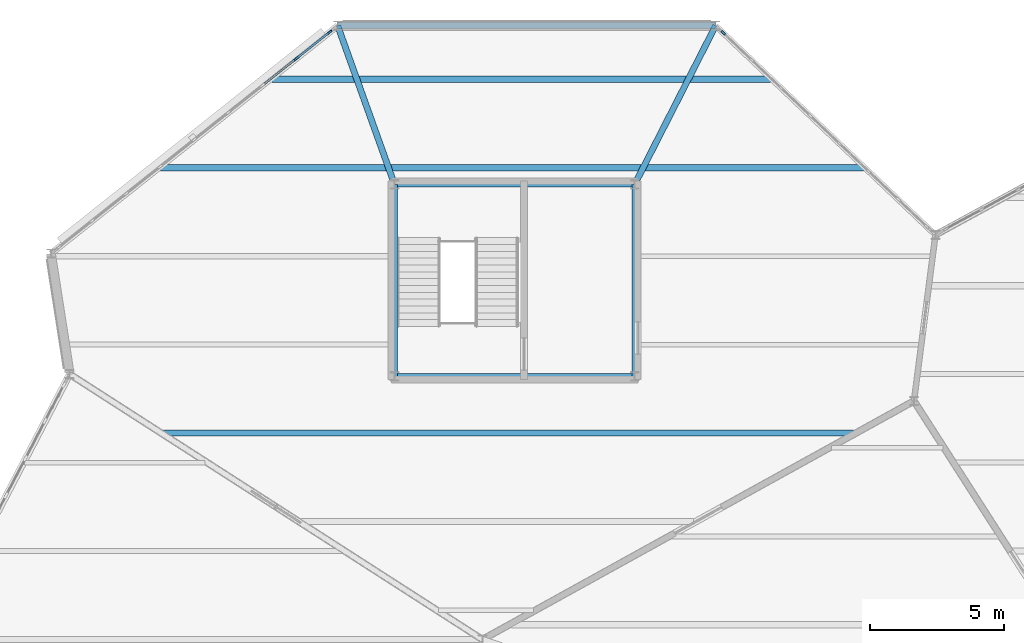
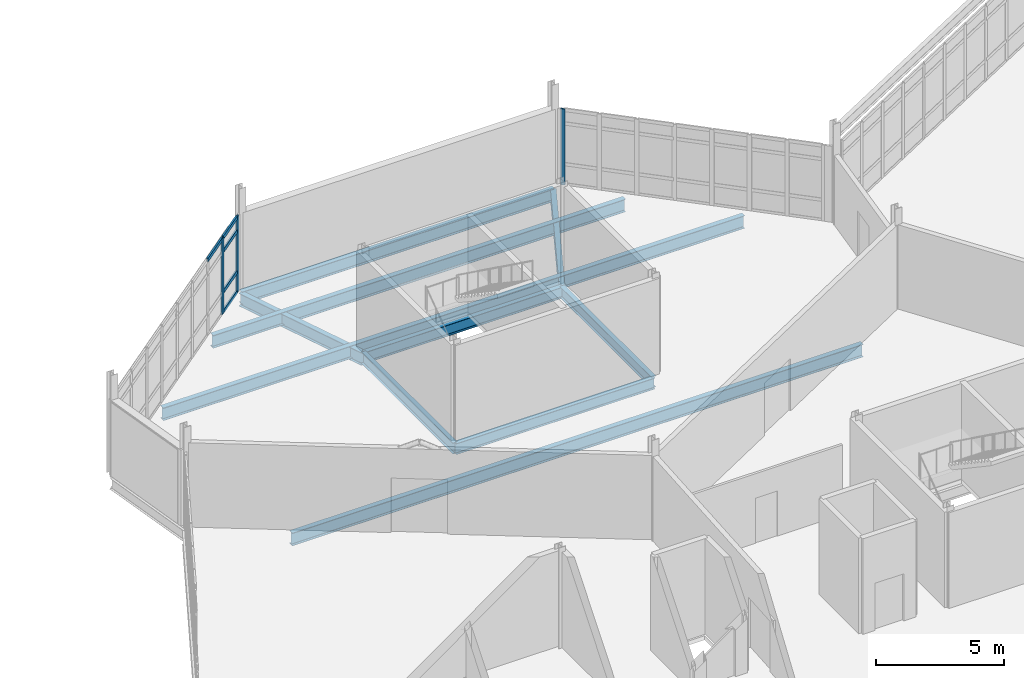
# One storey, part 54 of 114: 10 beams, 8 members, 2 elements without a shape of their own.
"""IFC4 building model written with IfcOpenShell, lengths in metres."""

from ifc_helpers import new_model, si_unit, direction, frame, origin, origin_2d, place, context, subcontext, project, spatial, rectangle, i_section, extrude, material, material_profile, profile_set, type_object, element, aggregate, save


model = new_model("IFC4")

# Units and contexts
model_context = context("Model", 3, precision=1e-05, world=origin(), true_north=direction((0.0, 1.0)))
body_context = subcontext(model_context, "Body", "Model", "MODEL_VIEW")
ifc_project = project(units=[si_unit("LENGTHUNIT", "METRE"), si_unit("AREAUNIT", "SQUARE_METRE"), si_unit("VOLUMEUNIT", "CUBIC_METRE"), si_unit("PLANEANGLEUNIT", "RADIAN"), si_unit("MASSUNIT", "GRAM", prefix="KILO")], contexts=[model_context])

# Site, building, storey
site_placement = place(None, origin())
site = spatial("IfcSite", under=ifc_project, at=site_placement, CompositionType="ELEMENT")
building_placement = place(site_placement, origin())
building = spatial("IfcBuilding", under=site, at=building_placement, Name="Tameran Prism Museum", CompositionType="ELEMENT")
storey_placement = place(building_placement, frame((0.0, 0.0, 10.199951171875)))
storey = spatial("IfcBuildingStorey", under=building, at=storey_placement, Name="L02", CompositionType="ELEMENT", Elevation=10.199951171875)

# Beams
ifc_material_1 = material(Name="Steel Grade 300PLUS (300 MPa)", Category="steel")
ifc_material_profile_1 = material_profile(ifc_material_1, i_section(OverallWidth=0.208984375, OverallDepth=0.528076171875, WebThickness=0.009521484375, FlangeThickness=0.01318359375, FilletRadius=0.013916015625, at=origin_2d()))
ifc_profile_set_1 = profile_set([ifc_material_profile_1])
beam_type_1 = type_object("IfcBeamType", Name="BM-SP530B", PredefinedType="SPANDREL", material=ifc_profile_set_1)
beam_1_placement = place(storey_placement, frame((115.52001953125, 98.919921875, -0.50390625), z_axis=(1.0, 0.0, 0.0), x_axis=(0.0, 1.0, 0.0)))
element("IfcBeam", 1, at=beam_1_placement, inside=storey, type_object=beam_type_1, Name="Core Ring Beam CTB-0765", PredefinedType="SPANDREL", context=body_context, shape_type="SweptSolid", body=[
    extrude(i_section(OverallWidth=0.208984375, OverallDepth=0.528076171875, WebThickness=0.009521484375, FlangeThickness=0.01318359375, FilletRadius=0.013916015625, at=origin_2d()), origin(), (0.0, 0.0, 1.0), 8.9599609375),
])
beam_2_placement = place(storey_placement, frame((124.47998046875, 98.919921875, -0.50390625), z_axis=(0.0, 1.0, 0.0), x_axis=(-1.0, 0.0, 0.0)))
element("IfcBeam", 2, at=beam_2_placement, inside=storey, type_object=beam_type_1, Name="Core Ring Beam CTB-0766", PredefinedType="SPANDREL", context=body_context, shape_type="SweptSolid", body=[
    extrude(i_section(OverallWidth=0.208984375, OverallDepth=0.528076171875, WebThickness=0.009521484375, FlangeThickness=0.01318359375, FilletRadius=0.013916015625, at=origin_2d()), origin(), (0.0, 0.0, 1.0), 7.16015625),
])
beam_3_placement = place(storey_placement, frame((124.47998046875, 106.080078125, -0.50390625), z_axis=(-1.0, 0.0, 0.0), x_axis=(0.0, -1.0, 0.0)))
element("IfcBeam", 3, at=beam_3_placement, inside=storey, type_object=beam_type_1, Name="Core Ring Beam CTB-0767", PredefinedType="SPANDREL", context=body_context, shape_type="SweptSolid", body=[
    extrude(i_section(OverallWidth=0.208984375, OverallDepth=0.528076171875, WebThickness=0.009521484375, FlangeThickness=0.01318359375, FilletRadius=0.013916015625, at=origin_2d()), origin(), (0.0, 0.0, 1.0), 8.9599609375),
])
beam_4_placement = place(storey_placement, frame((115.52001953125, 106.080078125, -0.50390625), z_axis=(0.0, -1.0, 0.0), x_axis=(1.0, 0.0, 0.0)))
element("IfcBeam", 4, at=beam_4_placement, inside=storey, type_object=beam_type_1, Name="Core Ring Beam CTB-0768", PredefinedType="SPANDREL", context=body_context, shape_type="SweptSolid", body=[
    extrude(i_section(OverallWidth=0.208984375, OverallDepth=0.528076171875, WebThickness=0.009521484375, FlangeThickness=0.01318359375, FilletRadius=0.013916015625, at=origin_2d()), origin(), (0.0, 0.0, 1.0), 7.16015625),
])
ifc_material_2 = material(Name="Steel Grade 300PLUS (300 MPa)", Category="steel")
ifc_material_profile_2 = material_profile(ifc_material_2, i_section(OverallWidth=0.22802734375, OverallDepth=0.60205078125, WebThickness=0.010498046875, FlangeThickness=0.014892578125, FilletRadius=0.013916015625, at=origin_2d()))
ifc_profile_set_2 = profile_set([ifc_material_profile_2])
beam_type_2 = type_object("IfcBeamType", Name="BM-SP610", PredefinedType="SPANDREL", material=ifc_profile_set_2)
beam_5_placement = place(storey_placement, frame((127.5, 112.0, -0.5009765625), z_axis=(-1.0, 0.0, 0.0), x_axis=(0.0, -1.0, 0.0)))
element("IfcBeam", 5, at=beam_5_placement, inside=storey, type_object=beam_type_2, Name="Perimeter Spandrel SP-0666", PredefinedType="SPANDREL", context=body_context, shape_type="SweptSolid", body=[
    extrude(i_section(OverallWidth=0.22802734375, OverallDepth=0.60205078125, WebThickness=0.010498046875, FlangeThickness=0.014892578125, FilletRadius=0.013916015625, at=origin_2d()), origin(), (0.0, 0.0, 1.0), 14.10009765625),
])
ifc_material_3 = material(Name="Steel Grade 300PLUS (300 MPa)", Category="steel")
ifc_material_profile_3 = material_profile(ifc_material_3, i_section(OverallWidth=0.22900390625, OverallDepth=0.612060546875, WebThickness=0.011962890625, FlangeThickness=0.01953125, FilletRadius=0.013916015625, at=origin_2d()))
ifc_profile_set_3 = profile_set([ifc_material_profile_3])
beam_type_3 = type_object("IfcBeamType", Name="BM-UB610A", PredefinedType="BEAM", material=ifc_profile_set_3)
beam_6_placement = place(storey_placement, frame((124.47998046875, 106.080078125, -0.56005859375), z_axis=(0.454428700182, 0.890783114148, 0.0), x_axis=(-0.890783114148, 0.454428700182, 0.0)))
element("IfcBeam", 6, at=beam_6_placement, inside=storey, type_object=beam_type_3, Name="Frame Tie Girder FG-1400", PredefinedType="BEAM", context=body_context, shape_type="SweptSolid", body=[
    extrude(i_section(OverallWidth=0.22900390625, OverallDepth=0.612060546875, WebThickness=0.011962890625, FlangeThickness=0.01953125, FilletRadius=0.013916015625, at=origin_2d()), origin(), (0.0, 0.0, 1.0), 6.645751953125),
])
beam_7_placement = place(storey_placement, frame((115.52001953125, 106.080078125, -0.56005859375), z_axis=(-0.337162675886, 0.941446403142, 0.0), x_axis=(-0.941446403142, -0.337162675886, 0.0)))
element("IfcBeam", 7, at=beam_7_placement, inside=storey, type_object=beam_type_3, Name="Frame Tie Girder FG-1406", PredefinedType="BEAM", context=body_context, shape_type="SweptSolid", body=[
    extrude(i_section(OverallWidth=0.22900390625, OverallDepth=0.612060546875, WebThickness=0.011962890625, FlangeThickness=0.01953125, FilletRadius=0.013916015625, at=origin_2d()), origin(), (0.0, 0.0, 1.0), 6.2880859375),
])
ifc_material_4 = material(Name="Steel Grade 300PLUS (300 MPa)", Category="steel")
ifc_material_profile_4 = material_profile(ifc_material_4, i_section(OverallWidth=0.22802734375, OverallDepth=0.60693359375, WebThickness=0.01123046875, FlangeThickness=0.017333984375, FilletRadius=0.013916015625, at=origin_2d()))
ifc_profile_set_4 = profile_set([ifc_material_profile_4])
beam_type_4 = type_object("IfcBeamType", Name="BM-UB610B", PredefinedType="BEAM", material=ifc_profile_set_4)
beam_8_placement = place(storey_placement, frame((106.89599609375, 96.800048828125, -0.50341796875), z_axis=(1.0, 0.0, 0.0), x_axis=(0.0, 1.0, 0.0)))
element("IfcBeam", 8, at=beam_8_placement, inside=storey, type_object=beam_type_4, Name="Floor Beam BM-0834", PredefinedType="BEAM", context=body_context, shape_type="SweptSolid", body=[
    extrude(i_section(OverallWidth=0.22802734375, OverallDepth=0.60693359375, WebThickness=0.01123046875, FlangeThickness=0.017333984375, FilletRadius=0.013916015625, at=origin_2d()), origin(), (0.0, 0.0, 1.0), 25.7509765625),
])
beam_9_placement = place(storey_placement, frame((106.79296875, 106.699951171875, -0.50341796875), z_axis=(1.0, 0.0, 0.0), x_axis=(0.0, 1.0, 0.0)))
element("IfcBeam", 9, at=beam_9_placement, inside=storey, type_object=beam_type_4, Name="Floor Beam BM-0839", PredefinedType="BEAM", context=body_context, shape_type="SweptSolid", body=[
    extrude(i_section(OverallWidth=0.22802734375, OverallDepth=0.60693359375, WebThickness=0.01123046875, FlangeThickness=0.017333984375, FilletRadius=0.013916015625, at=origin_2d()), origin(), (0.0, 0.0, 1.0), 26.220947265625),
])
beam_10_placement = place(storey_placement, frame((110.947021484375, 110.0, -0.50341796875), z_axis=(1.0, 0.0, 0.0), x_axis=(0.0, 1.0, 0.0)))
element("IfcBeam", 10, at=beam_10_placement, inside=storey, type_object=beam_type_4, Name="Floor Beam BM-0840", PredefinedType="BEAM", context=body_context, shape_type="SweptSolid", body=[
    extrude(i_section(OverallWidth=0.22802734375, OverallDepth=0.60693359375, WebThickness=0.01123046875, FlangeThickness=0.017333984375, FilletRadius=0.013916015625, at=origin_2d()), origin(), (0.0, 0.0, 1.0), 18.597900390625),
])

# Curtain wall, member
ifc_material_5 = material(Name="Anodised Aluminium 6063-T6 and Cyclone Solar Glass", Category="aluminium")
curtain_wall_type_1 = type_object("IfcCurtainWallType", Name="CW-FAC-1056x362", PredefinedType="USERDEFINED", material=ifc_material_5)
curtain_wall_1_placement = place(storey_placement, origin())
curtain_wall_1 = element("IfcCurtainWall", 11, at=curtain_wall_1_placement, inside=storey, type_object=curtain_wall_type_1, Name="Unitised Curtain Wall CW-100", ObjectType="UNITISED CURTAIN WALL", PredefinedType="USERDEFINED")
ifc_material_6 = material(Name="Anodised Aluminium Alloy 6063-T6", Category="aluminium")
ifc_material_profile_5 = material_profile(ifc_material_6, rectangle(XDim=0.070068359375, YDim=0.179931640625, at=origin_2d()))
ifc_profile_set_5 = profile_set([ifc_material_profile_5])
member_type_1 = type_object("IfcMemberType", Name="CW-MUL-B", PredefinedType="MULLION", material=ifc_profile_set_5)
member_1_placement = place(storey_placement, frame((127.779296875, 111.73486328125, 0.0), z_axis=(0.0, 0.0, 1.0), x_axis=(0.689269554042, 0.724504990922, 0.0)))
member_1 = element("IfcMember", 12, at=member_1_placement, type_object=member_type_1, Name="CW-100 mullion 1", PredefinedType="MULLION", context=body_context, shape_type="SweptSolid", body=[
    extrude(rectangle(XDim=0.070068359375, YDim=0.179931640625, at=origin_2d()), origin(), (0.0, 0.0, 1.0), 3.6201171875),
])
aggregate(curtain_wall_1, [member_1])

# Curtain wall, members
ifc_material_7 = material(Name="Anodised Aluminium 6063-T6 and Cyclone Solar Glass", Category="aluminium")
curtain_wall_type_2 = type_object("IfcCurtainWallType", Name="CW-FAC-1296x362", PredefinedType="USERDEFINED", material=ifc_material_7)
curtain_wall_2_placement = place(storey_placement, origin())
curtain_wall_2 = element("IfcCurtainWall", 13, at=curtain_wall_2_placement, inside=storey, type_object=curtain_wall_type_2, Name="Unitised Curtain Wall CW-101", ObjectType="UNITISED CURTAIN WALL", PredefinedType="USERDEFINED")
ifc_material_8 = material(Name="Anodised Aluminium Alloy 6063-T6", Category="aluminium")
ifc_material_profile_6 = material_profile(ifc_material_8, rectangle(XDim=0.074951171875, YDim=0.199951171875, at=origin_2d()))
ifc_profile_set_6 = profile_set([ifc_material_profile_6])
member_type_2 = type_object("IfcMemberType", Name="CW-MUL-C", PredefinedType="MULLION", material=ifc_profile_set_6)
member_2_placement = place(storey_placement, frame((111.85693359375, 110.77392578125, 0.0), z_axis=(0.0, 0.0, 1.0), x_axis=(-0.621982306183, 0.783031296178, 0.0)))
member_2 = element("IfcMember", 14, at=member_2_placement, type_object=member_type_2, Name="CW-101 mullion 8", PredefinedType="MULLION", context=body_context, shape_type="SweptSolid", body=[
    extrude(rectangle(XDim=0.074951171875, YDim=0.199951171875, at=origin_2d()), origin(), (0.0, 0.0, 1.0), 3.6201171875),
])
member_3_placement = place(storey_placement, frame((113.0966796875, 111.7587890625, 0.0), z_axis=(0.0, 0.0, 1.0), x_axis=(-0.621982306183, 0.783031296178, 0.0)))
member_3 = element("IfcMember", 15, at=member_3_placement, type_object=member_type_2, Name="CW-101 mullion 9", PredefinedType="MULLION", context=body_context, shape_type="SweptSolid", body=[
    extrude(rectangle(XDim=0.074951171875, YDim=0.199951171875, at=origin_2d()), origin(), (0.0, 0.0, 1.0), 3.6201171875),
])
ifc_material_9 = material(Name="Anodised Aluminium Alloy 6063-T6", Category="aluminium")
ifc_material_profile_7 = material_profile(ifc_material_9, rectangle(XDim=0.074951171875, YDim=0.175048828125, at=origin_2d()))
ifc_profile_set_7 = profile_set([ifc_material_profile_7])
member_type_3 = type_object("IfcMemberType", Name="CW-TRN-C", PredefinedType="USERDEFINED", material=ifc_profile_set_7)
member_4_placement = place(storey_placement, frame((110.617431640625, 109.789306640625, 3.58251953125), z_axis=(0.78299091999, 0.622033133533, 0.0), x_axis=(-0.622033133533, 0.78299091999, 0.0)))
member_4 = element("IfcMember", 16, at=member_4_placement, type_object=member_type_3, Name="CW-101 transom 7.4", ObjectType="TRANSOM", PredefinedType="USERDEFINED", context=body_context, shape_type="SweptSolid", body=[
    extrude(rectangle(XDim=0.074951171875, YDim=0.175048828125, at=origin_2d()), origin(), (0.0, 0.0, 1.0), 1.545654296875),
])
member_5_placement = place(storey_placement, frame((111.886474609375, 110.79736328125, 0.03759765625), z_axis=(0.783043597879, 0.621966818907, 0.0), x_axis=(-0.621966818907, 0.783043597879, 0.0)))
member_5 = element("IfcMember", 17, at=member_5_placement, type_object=member_type_3, Name="CW-101 transom 8.1", ObjectType="TRANSOM", PredefinedType="USERDEFINED", context=body_context, shape_type="SweptSolid", body=[
    extrude(rectangle(XDim=0.074951171875, YDim=0.175048828125, at=origin_2d()), origin(), (0.0, 0.0, 1.0), 1.508056640625),
])
member_6_placement = place(storey_placement, frame((111.886474609375, 110.79736328125, 1.0), z_axis=(0.783043597879, 0.621966818907, 0.0), x_axis=(-0.621966818907, 0.783043597879, 0.0)))
member_6 = element("IfcMember", 18, at=member_6_placement, type_object=member_type_3, Name="CW-101 transom 8.2", ObjectType="TRANSOM", PredefinedType="USERDEFINED", context=body_context, shape_type="SweptSolid", body=[
    extrude(rectangle(XDim=0.074951171875, YDim=0.175048828125, at=origin_2d()), origin(), (0.0, 0.0, 1.0), 1.508056640625),
])
member_7_placement = place(storey_placement, frame((111.886474609375, 110.79736328125, 2.93994140625), z_axis=(0.783043597879, 0.621966818907, 0.0), x_axis=(-0.621966818907, 0.783043597879, 0.0)))
member_7 = element("IfcMember", 19, at=member_7_placement, type_object=member_type_3, Name="CW-101 transom 8.3", ObjectType="TRANSOM", PredefinedType="USERDEFINED", context=body_context, shape_type="SweptSolid", body=[
    extrude(rectangle(XDim=0.074951171875, YDim=0.175048828125, at=origin_2d()), origin(), (0.0, 0.0, 1.0), 1.508056640625),
])
member_8_placement = place(storey_placement, frame((111.886474609375, 110.79736328125, 3.58251953125), z_axis=(0.783043597879, 0.621966818907, 0.0), x_axis=(-0.621966818907, 0.783043597879, 0.0)))
member_8 = element("IfcMember", 20, at=member_8_placement, type_object=member_type_3, Name="CW-101 transom 8.4", ObjectType="TRANSOM", PredefinedType="USERDEFINED", context=body_context, shape_type="SweptSolid", body=[
    extrude(rectangle(XDim=0.074951171875, YDim=0.175048828125, at=origin_2d()), origin(), (0.0, 0.0, 1.0), 1.508056640625),
])
aggregate(curtain_wall_2, [member_2, member_3, member_4, member_5, member_6, member_7, member_8])

save(model, "model.ifc")
